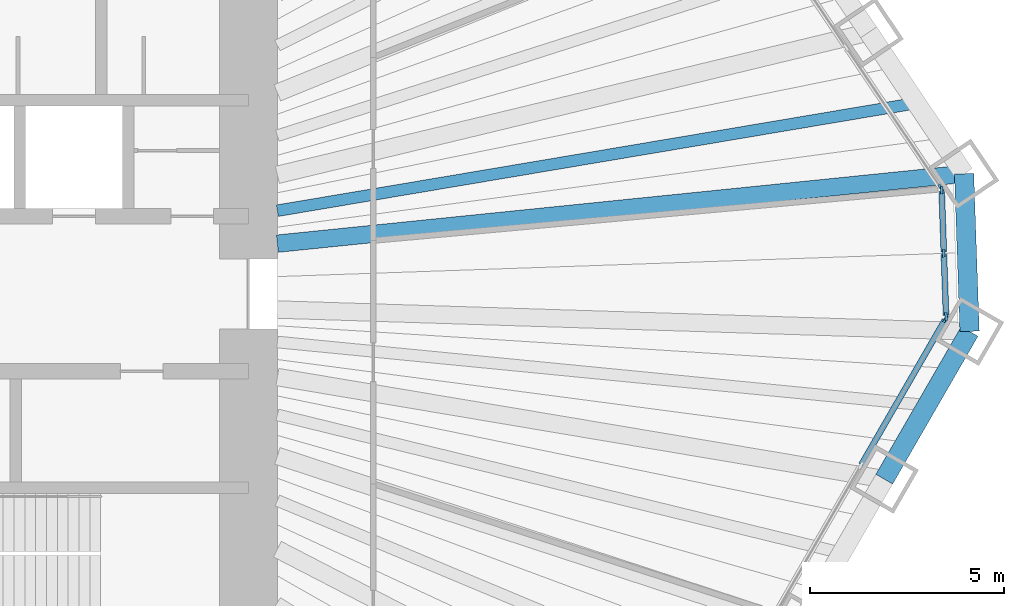
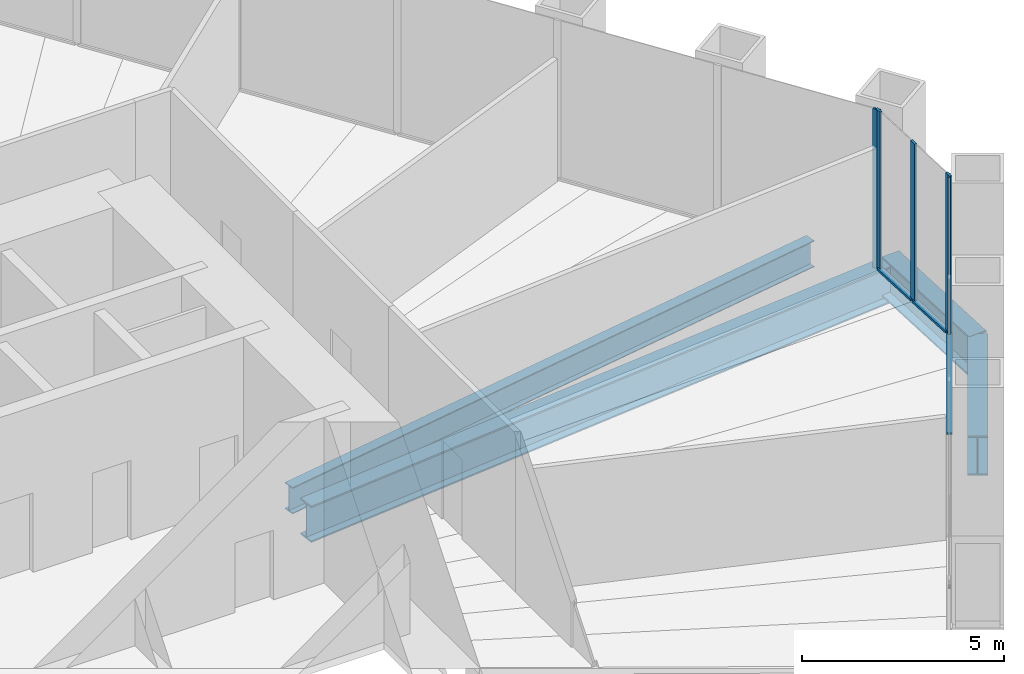
# One storey, part 5 of 13: 8 members, 4 beams, 3 elements without a shape of their own.
"""IFC4 building model written with IfcOpenShell, lengths in metres."""

from ifc_helpers import new_model, si_unit, direction, frame, origin, origin_2d, place, context, subcontext, project, spatial, rectangle, i_section, extrude, material, material_profile, profile_set, type_object, element, aggregate, save


model = new_model("IFC4")

# Units and contexts
model_context = context("Model", 3, precision=1e-05, world=origin(), true_north=direction((0.0, 1.0)))
body_context = subcontext(model_context, "Body", "Model", "MODEL_VIEW")
ifc_project = project(units=[si_unit("LENGTHUNIT", "METRE"), si_unit("AREAUNIT", "SQUARE_METRE"), si_unit("VOLUMEUNIT", "CUBIC_METRE"), si_unit("PLANEANGLEUNIT", "RADIAN"), si_unit("MASSUNIT", "GRAM", prefix="KILO")], contexts=[model_context])

# Site, building, storey
site_placement = place(None, origin())
site = spatial("IfcSite", under=ifc_project, at=site_placement, CompositionType="ELEMENT")
building_placement = place(site_placement, origin())
building = spatial("IfcBuilding", under=site, at=building_placement, Name="Qingtian Harvest Tower", CompositionType="ELEMENT")
storey_placement = place(building_placement, frame((0.0, 0.0, 62.0)))
storey = spatial("IfcBuildingStorey", under=building, at=storey_placement, Name="L12", CompositionType="ELEMENT", Elevation=62.0)

# Beams
ifc_material_1 = material(Name="Steel SM570MC", Category="steel")
ifc_material_profile_1 = material_profile(ifc_material_1, i_section(OverallWidth=0.449951171875, OverallDepth=1.10009765625, WebThickness=0.02197265625, FlangeThickness=0.044921875, at=origin_2d()), Name="H1100x450x22x45")
ifc_profile_set_1 = profile_set([ifc_material_profile_1], Name="Steel SM570MC")
beam_type_1 = type_object("IfcBeamType", Name="Corner floor beam FB8 H1100x450x22x45", PredefinedType="BEAM", material=ifc_profile_set_1)
beam_1_placement = place(storey_placement, frame((30.476318359375, 3.100830078125, -0.75), z_axis=(-0.994864371567, -0.101217005423, 0.0), x_axis=(0.101217005423, -0.994864371567, 0.0)))
element("IfcBeam", 1, at=beam_1_placement, inside=storey, type_object=beam_type_1, Name="Floor beam FB8 NE6", PredefinedType="BEAM", context=body_context, shape_type="SweptSolid", body=[
    extrude(i_section(OverallWidth=0.449951171875, OverallDepth=1.10009765625, WebThickness=0.02197265625, FlangeThickness=0.044921875, at=origin_2d()), origin(), (0.0, 0.0, 1.0), 17.81787109375),
])
ifc_material_2 = material(Name="Steel SN490B", Category="steel")
ifc_material_profile_2 = material_profile(ifc_material_2, i_section(OverallWidth=0.300048828125, OverallDepth=0.800048828125, WebThickness=0.013916015625, FlangeThickness=0.02587890625, at=origin_2d()), Name="H800x300x14x26")
ifc_profile_set_2 = profile_set([ifc_material_profile_2], Name="Steel SN490B")
beam_type_2 = type_object("IfcBeamType", Name="Floor joist J1 H800x300x14x26", PredefinedType="JOIST", material=ifc_profile_set_2)
beam_2_placement = place(storey_placement, frame((29.244873046875, 4.926513671875, -0.60009765625), z_axis=(-0.986107238024, -0.166109948877, 0.0), x_axis=(0.166109948877, -0.986107238024, 0.0)))
element("IfcBeam", 2, at=beam_2_placement, inside=storey, type_object=beam_type_2, Name="Floor joist J1 NE5", PredefinedType="JOIST", context=body_context, shape_type="SweptSolid", body=[
    extrude(i_section(OverallWidth=0.300048828125, OverallDepth=0.800048828125, WebThickness=0.013916015625, FlangeThickness=0.02587890625, at=origin_2d()), origin(), (0.0, 0.0, 1.0), 16.727294921875),
])

# Curtain wall, member
ifc_material_3 = material(Name="Bronze-anodised aluminium curtain wall", Category="aluminium")
curtain_wall_type = type_object("IfcCurtainWallType", Name="Curtain wall CW2 farm reception", PredefinedType="USERDEFINED", material=ifc_material_3)
curtain_wall_1_placement = place(storey_placement, origin())
curtain_wall_1 = element("IfcCurtainWall", 3, at=curtain_wall_1_placement, inside=storey, type_object=curtain_wall_type, Name="Curtain wall CW2 L12 NE0-5", ObjectType="RECESSED CURTAIN WALL", PredefinedType="USERDEFINED")
ifc_material_4 = material(Name="Bronze-anodised aluminium mullion", Category="aluminium")
ifc_material_profile_3 = material_profile(ifc_material_4, rectangle(XDim=0.06494140625, YDim=0.199951171875, at=origin_2d()), Name="AL 65x200")
ifc_profile_set_3 = profile_set([ifc_material_profile_3], Name="Bronze-anodised aluminium mullion")
member_type_1 = type_object("IfcMemberType", Name="Mullion CWM 65x200", PredefinedType="MULLION", material=ifc_profile_set_3)
member_1_placement = place(storey_placement, frame((29.8779296875, 2.736328125, 0.0), z_axis=(0.0, 0.0, 1.0), x_axis=(0.829037572555, 0.559192903471, 0.0)))
member_1 = element("IfcMember", 4, at=member_1_placement, type_object=member_type_1, Name="CW2 mullion 7", PredefinedType="MULLION", context=body_context, shape_type="SweptSolid", body=[
    extrude(rectangle(XDim=0.06494140625, YDim=0.199951171875, at=origin_2d()), origin(), (0.0, 0.0, 1.0), 4.800048828125),
])
aggregate(curtain_wall_1, [member_1])

# Curtain wall, members
curtain_wall_2_placement = place(storey_placement, origin())
curtain_wall_2 = element("IfcCurtainWall", 5, at=curtain_wall_2_placement, inside=storey, type_object=curtain_wall_type, Name="Curtain wall CW2 L12 NEC", ObjectType="RECESSED CURTAIN WALL", PredefinedType="USERDEFINED")
member_2_placement = place(storey_placement, frame((29.897216796875, 2.677001953125, 0.0), z_axis=(0.0, 0.0, 1.0), x_axis=(0.999390827019, 0.034899496703, 0.0)))
member_2 = element("IfcMember", 6, at=member_2_placement, type_object=member_type_1, Name="CW2 mullion 1", PredefinedType="MULLION", context=body_context, shape_type="SweptSolid", body=[
    extrude(rectangle(XDim=0.06494140625, YDim=0.199951171875, at=origin_2d()), origin(), (0.0, 0.0, 1.0), 4.800048828125),
])
member_3_placement = place(storey_placement, frame((29.9541015625, 1.046142578125, 0.0), z_axis=(0.0, 0.0, 1.0), x_axis=(0.999390827019, 0.034899496703, 0.0)))
member_3 = element("IfcMember", 7, at=member_3_placement, type_object=member_type_1, Name="CW2 mullion 2", PredefinedType="MULLION", context=body_context, shape_type="SweptSolid", body=[
    extrude(rectangle(XDim=0.06494140625, YDim=0.199951171875, at=origin_2d()), origin(), (0.0, 0.0, 1.0), 4.800048828125),
])
member_4_placement = place(storey_placement, frame((30.010986328125, -0.5849609375, 0.0), z_axis=(0.0, 0.0, 1.0), x_axis=(0.999390827019, 0.034899496703, 0.0)))
member_4 = element("IfcMember", 8, at=member_4_placement, type_object=member_type_1, Name="CW2 mullion 3", PredefinedType="MULLION", context=body_context, shape_type="SweptSolid", body=[
    extrude(rectangle(XDim=0.06494140625, YDim=0.199951171875, at=origin_2d()), origin(), (0.0, 0.0, 1.0), 4.800048828125),
])

# Curtain wall, member
curtain_wall_3_placement = place(storey_placement, origin())
curtain_wall_3 = element("IfcCurtainWall", 9, at=curtain_wall_3_placement, inside=storey, type_object=curtain_wall_type, Name="Curtain wall CW2 L12 SE0-5", ObjectType="RECESSED CURTAIN WALL", PredefinedType="USERDEFINED")
member_5_placement = place(storey_placement, frame((29.995849609375, -0.6455078125, 0.0), z_axis=(0.0, 0.0, 1.0), x_axis=(0.866025403784, -0.5, 0.0)))
member_5 = element("IfcMember", 10, at=member_5_placement, type_object=member_type_1, Name="CW2 mullion 1", PredefinedType="MULLION", context=body_context, shape_type="SweptSolid", body=[
    extrude(rectangle(XDim=0.06494140625, YDim=0.199951171875, at=origin_2d()), origin(), (0.0, 0.0, 1.0), 4.800048828125),
])

# Beams
ifc_material_5 = material(Name="Steel SM570MC", Category="steel")
ifc_material_profile_4 = material_profile(ifc_material_5, i_section(OverallWidth=0.5, OverallDepth=1.199951171875, WebThickness=0.02490234375, FlangeThickness=0.050048828125, at=origin_2d()), Name="H1200x500x25x50")
ifc_profile_set_4 = profile_set([ifc_material_profile_4], Name="Steel SM570MC")
beam_type_3 = type_object("IfcBeamType", Name="Spandrel beam SB1 H1200x500x25x50", PredefinedType="SPANDREL", material=ifc_profile_set_4)
beam_3_placement = place(storey_placement, frame((30.476318359375, 3.100830078125, -0.60009765625), z_axis=(0.03490639867, -0.999390585973, 0.0), x_axis=(0.999390585973, 0.03490639867, 0.0)))
element("IfcBeam", 11, at=beam_3_placement, inside=storey, type_object=beam_type_3, Name="Spandrel SB1 NEC", PredefinedType="SPANDREL", context=body_context, shape_type="SweptSolid", body=[
    extrude(i_section(OverallWidth=0.5, OverallDepth=1.199951171875, WebThickness=0.02490234375, FlangeThickness=0.050048828125, at=origin_2d()), origin(), (0.0, 0.0, 1.0), 4.070556640625),
])
beam_4_placement = place(storey_placement, frame((30.618408203125, -0.96728515625, -0.60009765625), z_axis=(-0.50001992892, -0.866013897511, 0.0), x_axis=(0.866013897511, -0.50001992892, 0.0)))
element("IfcBeam", 12, at=beam_4_placement, inside=storey, type_object=beam_type_3, Name="Spandrel SB1 SE0", PredefinedType="SPANDREL", context=body_context, shape_type="SweptSolid", body=[
    extrude(i_section(OverallWidth=0.5, OverallDepth=1.199951171875, WebThickness=0.02490234375, FlangeThickness=0.050048828125, at=origin_2d()), origin(), (0.0, 0.0, 1.0), 4.404541015625),
])

# Member
ifc_material_6 = material(Name="Bronze-anodised aluminium transom", Category="aluminium")
ifc_material_profile_5 = material_profile(ifc_material_6, rectangle(XDim=0.14990234375, YDim=0.06494140625, at=origin_2d()), Name="AL 65x150")
ifc_profile_set_5 = profile_set([ifc_material_profile_5], Name="Bronze-anodised aluminium transom")
member_type_2 = type_object("IfcMemberType", Name="Transom CWT 65x150", PredefinedType="USERDEFINED", material=ifc_profile_set_5)
member_6_placement = place(storey_placement, frame((29.898193359375, 2.64453125, 0.032470703125), z_axis=(0.034902326647, -0.999390728191, 0.0), x_axis=(0.999390728191, 0.034902326647, 0.0)))
member_6 = element("IfcMember", 13, at=member_6_placement, type_object=member_type_2, Name="CW2 transom 1.1", ObjectType="TRANSOM", PredefinedType="USERDEFINED", context=body_context, shape_type="SweptSolid", body=[
    extrude(rectangle(XDim=0.14990234375, YDim=0.06494140625, at=origin_2d()), origin(), (0.0, 0.0, 1.0), 1.56689453125),
])

member_7_placement = place(storey_placement, frame((29.955322265625, 1.013427734375, 0.032470703125), z_axis=(0.034902326647, -0.999390728191, 0.0), x_axis=(0.999390728191, 0.034902326647, 0.0)))
member_7 = element("IfcMember", 14, at=member_7_placement, type_object=member_type_2, Name="CW2 transom 2.1", ObjectType="TRANSOM", PredefinedType="USERDEFINED", context=body_context, shape_type="SweptSolid", body=[
    extrude(rectangle(XDim=0.14990234375, YDim=0.06494140625, at=origin_2d()), origin(), (0.0, 0.0, 1.0), 1.56689453125),
])

aggregate(curtain_wall_2, [member_2, member_3, member_4, member_6, member_7])

member_8_placement = place(storey_placement, frame((29.979736328125, -0.673583984375, 0.032470703125), z_axis=(-0.499985768833, -0.866033619997, 0.0), x_axis=(0.866033619997, -0.499985768833, 0.0)))
member_8 = element("IfcMember", 15, at=member_8_placement, type_object=member_type_2, Name="CW2 transom 1.1", ObjectType="TRANSOM", PredefinedType="USERDEFINED", context=body_context, shape_type="SweptSolid", body=[
    extrude(rectangle(XDim=0.14990234375, YDim=0.06494140625, at=origin_2d()), origin(), (0.0, 0.0, 1.0), 4.307373046875),
])

aggregate(curtain_wall_3, [member_5, member_8])

save(model, "model.ifc")
